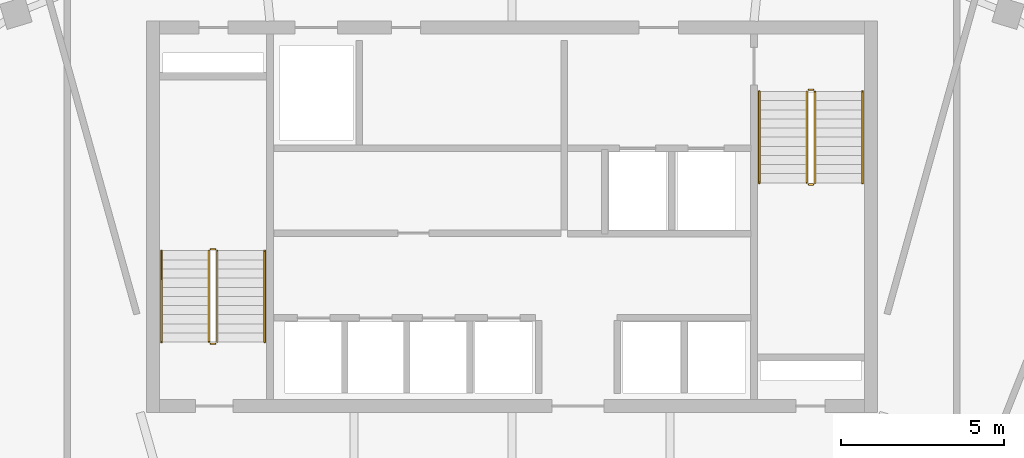
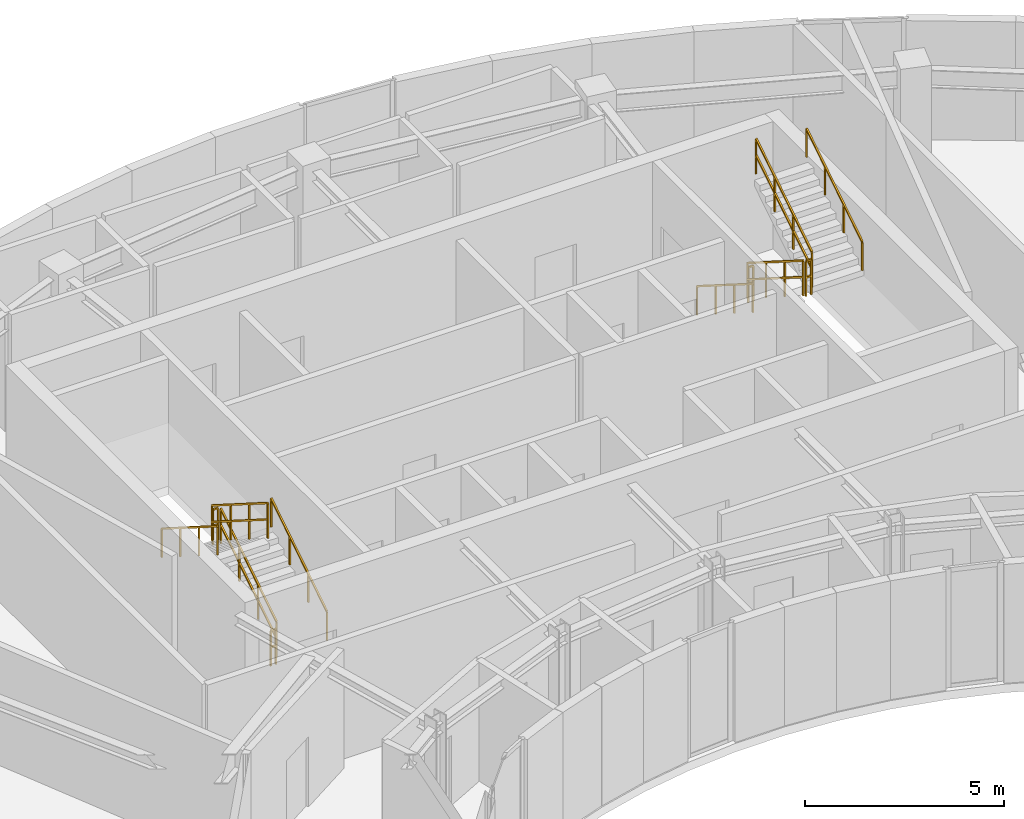
# One storey, part 9 of 9: 12 railings.
"""IFC4 building model written with IfcOpenShell, lengths in metres."""

from ifc_helpers import new_model, si_unit, direction, frame, origin, origin_2d, place, context, subcontext, project, spatial, rectangle, extrude, material, type_object, element, save


model = new_model("IFC4")

# Units and contexts
model_context = context("Model", 3, precision=1e-05, world=origin(), true_north=direction((0.0, 1.0)))
body_context = subcontext(model_context, "Body", "Model", "MODEL_VIEW")
ifc_project = project(units=[si_unit("LENGTHUNIT", "METRE"), si_unit("AREAUNIT", "SQUARE_METRE"), si_unit("VOLUMEUNIT", "CUBIC_METRE"), si_unit("PLANEANGLEUNIT", "RADIAN"), si_unit("MASSUNIT", "GRAM", prefix="KILO")], contexts=[model_context])

# Site, building, storey
site_placement = place(None, origin())
site = spatial("IfcSite", under=ifc_project, at=site_placement, CompositionType="ELEMENT")
building_placement = place(site_placement, origin())
building = spatial("IfcBuilding", under=site, at=building_placement, Name="Breltana Convention Tower", CompositionType="ELEMENT")
storey_placement = place(building_placement, frame((0.0, 0.0, 287.39990234375)))
storey = spatial("IfcBuildingStorey", under=building, at=storey_placement, Name="L70", CompositionType="ELEMENT", Elevation=287.39990234375)

# Railings
ifc_material_1 = material(Name="Steel S275 Painted", Category="steel")
railing_type_1 = type_object("IfcRailingType", Name="RL-STAIR-GUARD-1100", PredefinedType="GUARDRAIL", material=ifc_material_1)
railing_1_placement = place(storey_placement, frame((38.9599609375, 62.360107421875, 0.177490234375)))
element("IfcRailing", 1, at=railing_1_placement, inside=storey, type_object=railing_type_1, Name="L70 ST-1 stair guard 1", PredefinedType="GUARDRAIL", context=body_context, shape_type="SweptSolid", body=[
    extrude(rectangle(XDim=0.048095703125, YDim=0.048095703125, at=origin_2d()), frame((0.0, 0.0, 1.076171875), z_axis=(0.0, 0.844887892834, 0.53494340686), x_axis=(-1.0, 0.0, 0.0)), (0.0, 0.0, 1.0), 3.313720703125),
    extrude(rectangle(XDim=0.048095703125, YDim=0.048095703125, at=origin_2d()), frame((0.0, 0.0, 0.572021484375), z_axis=(0.0, 0.844887892834, 0.53494340686), x_axis=(-1.0, 0.0, 0.0)), (0.0, 0.0, 1.0), 3.313720703125),
    extrude(rectangle(XDim=0.0419921875, YDim=0.0419921875, at=origin_2d()), origin(), (0.0, 0.0, 1.0), 1.052001953125),
    extrude(rectangle(XDim=0.0419921875, YDim=0.0419921875, at=origin_2d()), frame((0.0, 0.933349609375, 0.5908203125)), (0.0, 0.0, 1.0), 1.052001953125),
    extrude(rectangle(XDim=0.0419921875, YDim=0.0419921875, at=origin_2d()), frame((0.0, 1.866455078125, 1.181884765625)), (0.0, 0.0, 1.0), 1.052001953125),
    extrude(rectangle(XDim=0.0419921875, YDim=0.0419921875, at=origin_2d()), frame((0.0, 2.7998046875, 1.772705078125)), (0.0, 0.0, 1.0), 1.052001953125),
])
railing_2_placement = place(storey_placement, frame((38.909912109375, 65.2099609375, 1.9501953125)))
element("IfcRailing", 2, at=railing_2_placement, inside=storey, type_object=railing_type_1, Name="L70 ST-1 stair guard 2", PredefinedType="GUARDRAIL", context=body_context, shape_type="SweptSolid", body=[
    extrude(rectangle(XDim=0.048095703125, YDim=0.048095703125, at=origin_2d()), frame((0.0, 0.0, 1.076171875), z_axis=(-1.0, 0.0, 0.0), x_axis=(0.0, -1.0, 0.0)), (0.0, 0.0, 1.0), 0.14990234375),
    extrude(rectangle(XDim=0.048095703125, YDim=0.048095703125, at=origin_2d()), frame((0.0, 0.0, 0.572021484375), z_axis=(-1.0, 0.0, 0.0), x_axis=(0.0, -1.0, 0.0)), (0.0, 0.0, 1.0), 0.14990234375),
    extrude(rectangle(XDim=0.0419921875, YDim=0.0419921875, at=origin_2d()), origin(), (0.0, 0.0, 1.0), 1.052001953125),
    extrude(rectangle(XDim=0.0419921875, YDim=0.0419921875, at=origin_2d()), frame((-0.14990234375, 0.0, 0.0)), (0.0, 0.0, 1.0), 1.052001953125),
])
railing_3_placement = place(storey_placement, frame((38.7099609375, 65.159912109375, 2.12744140625)))
element("IfcRailing", 3, at=railing_3_placement, inside=storey, type_object=railing_type_1, Name="L70 ST-1 stair guard 3", PredefinedType="GUARDRAIL", context=body_context, shape_type="SweptSolid", body=[
    extrude(rectangle(XDim=0.048095703125, YDim=0.048095703125, at=origin_2d()), frame((0.0, 0.0, 1.076171875), z_axis=(0.0, -0.844887892834, 0.53494340686), x_axis=(1.0, 0.0, 0.0)), (0.0, 0.0, 1.0), 3.313720703125),
    extrude(rectangle(XDim=0.048095703125, YDim=0.048095703125, at=origin_2d()), frame((0.0, 0.0, 0.572021484375), z_axis=(0.0, -0.844887892834, 0.53494340686), x_axis=(1.0, 0.0, 0.0)), (0.0, 0.0, 1.0), 3.313720703125),
    extrude(rectangle(XDim=0.0419921875, YDim=0.0419921875, at=origin_2d()), origin(), (0.0, 0.0, 1.0), 1.052001953125),
    extrude(rectangle(XDim=0.0419921875, YDim=0.0419921875, at=origin_2d()), frame((0.0, -0.933349609375, 0.5908203125)), (0.0, 0.0, 1.0), 1.052001953125),
    extrude(rectangle(XDim=0.0419921875, YDim=0.0419921875, at=origin_2d()), frame((0.0, -1.866455078125, 1.181884765625)), (0.0, 0.0, 1.0), 1.052001953125),
    extrude(rectangle(XDim=0.0419921875, YDim=0.0419921875, at=origin_2d()), frame((0.0, -2.7998046875, 1.772705078125)), (0.0, 0.0, 1.0), 1.052001953125),
])
railing_4_placement = place(storey_placement, frame((38.909912109375, 62.31005859375, 0.0)))
element("IfcRailing", 4, at=railing_4_placement, inside=storey, type_object=railing_type_1, Name="L70 ST-1 stair guard 4", PredefinedType="GUARDRAIL", context=body_context, shape_type="SweptSolid", body=[
    extrude(rectangle(XDim=0.048095703125, YDim=0.048095703125, at=origin_2d()), frame((0.0, 0.0, 1.076171875), z_axis=(-1.0, 0.0, 0.0), x_axis=(0.0, -1.0, 0.0)), (0.0, 0.0, 1.0), 0.14990234375),
    extrude(rectangle(XDim=0.048095703125, YDim=0.048095703125, at=origin_2d()), frame((0.0, 0.0, 0.572021484375), z_axis=(-1.0, 0.0, 0.0), x_axis=(0.0, -1.0, 0.0)), (0.0, 0.0, 1.0), 0.14990234375),
    extrude(rectangle(XDim=0.0419921875, YDim=0.0419921875, at=origin_2d()), origin(), (0.0, 0.0, 1.0), 1.052001953125),
    extrude(rectangle(XDim=0.0419921875, YDim=0.0419921875, at=origin_2d()), frame((-0.14990234375, 0.0, 0.0)), (0.0, 0.0, 1.0), 1.052001953125),
])
railing_5_placement = place(storey_placement, frame((57.0400390625, 70.0400390625, 0.177490234375)))
element("IfcRailing", 5, at=railing_5_placement, inside=storey, type_object=railing_type_1, Name="L70 ST-2 stair guard 1", PredefinedType="GUARDRAIL", context=body_context, shape_type="SweptSolid", body=[
    extrude(rectangle(XDim=0.048095703125, YDim=0.048095703125, at=origin_2d()), frame((0.0, 0.0, 1.076171875), z_axis=(0.0, -0.844908973607, 0.534910110503), x_axis=(1.0, 0.0, 0.0)), (0.0, 0.0, 1.0), 3.31396484375),
    extrude(rectangle(XDim=0.048095703125, YDim=0.048095703125, at=origin_2d()), frame((0.0, 0.0, 0.572021484375), z_axis=(0.0, -0.844908973607, 0.534910110503), x_axis=(1.0, 0.0, 0.0)), (0.0, 0.0, 1.0), 3.31396484375),
    extrude(rectangle(XDim=0.0419921875, YDim=0.0419921875, at=origin_2d()), origin(), (0.0, 0.0, 1.0), 1.052001953125),
    extrude(rectangle(XDim=0.0419921875, YDim=0.0419921875, at=origin_2d()), frame((0.0, -0.933349609375, 0.5908203125)), (0.0, 0.0, 1.0), 1.052001953125),
    extrude(rectangle(XDim=0.0419921875, YDim=0.0419921875, at=origin_2d()), frame((0.0, -1.86669921875, 1.181884765625)), (0.0, 0.0, 1.0), 1.052001953125),
    extrude(rectangle(XDim=0.0419921875, YDim=0.0419921875, at=origin_2d()), frame((0.0, -2.800048828125, 1.772705078125)), (0.0, 0.0, 1.0), 1.052001953125),
])
railing_6_placement = place(storey_placement, frame((57.090087890625, 67.18994140625, 1.9501953125)))
element("IfcRailing", 6, at=railing_6_placement, inside=storey, type_object=railing_type_1, Name="L70 ST-2 stair guard 2", PredefinedType="GUARDRAIL", context=body_context, shape_type="SweptSolid", body=[
    extrude(rectangle(XDim=0.048095703125, YDim=0.048095703125, at=origin_2d()), frame((0.0, 0.0, 1.076171875), z_axis=(1.0, 0.0, 0.0), x_axis=(0.0, 1.0, 0.0)), (0.0, 0.0, 1.0), 0.14990234375),
    extrude(rectangle(XDim=0.048095703125, YDim=0.048095703125, at=origin_2d()), frame((0.0, 0.0, 0.572021484375), z_axis=(1.0, 0.0, 0.0), x_axis=(0.0, 1.0, 0.0)), (0.0, 0.0, 1.0), 0.14990234375),
    extrude(rectangle(XDim=0.0419921875, YDim=0.0419921875, at=origin_2d()), origin(), (0.0, 0.0, 1.0), 1.052001953125),
    extrude(rectangle(XDim=0.0419921875, YDim=0.0419921875, at=origin_2d()), frame((0.14990234375, 0.0, 0.0)), (0.0, 0.0, 1.0), 1.052001953125),
])
railing_7_placement = place(storey_placement, frame((57.2900390625, 67.239990234375, 2.12744140625)))
element("IfcRailing", 7, at=railing_7_placement, inside=storey, type_object=railing_type_1, Name="L70 ST-2 stair guard 3", PredefinedType="GUARDRAIL", context=body_context, shape_type="SweptSolid", body=[
    extrude(rectangle(XDim=0.048095703125, YDim=0.048095703125, at=origin_2d()), frame((0.0, 0.0, 1.076171875), z_axis=(0.0, 0.844908973607, 0.534910110503), x_axis=(-1.0, 0.0, 0.0)), (0.0, 0.0, 1.0), 3.31396484375),
    extrude(rectangle(XDim=0.048095703125, YDim=0.048095703125, at=origin_2d()), frame((0.0, 0.0, 0.572021484375), z_axis=(0.0, 0.844908973607, 0.534910110503), x_axis=(-1.0, 0.0, 0.0)), (0.0, 0.0, 1.0), 3.31396484375),
    extrude(rectangle(XDim=0.0419921875, YDim=0.0419921875, at=origin_2d()), origin(), (0.0, 0.0, 1.0), 1.052001953125),
    extrude(rectangle(XDim=0.0419921875, YDim=0.0419921875, at=origin_2d()), frame((0.0, 0.933349609375, 0.5908203125)), (0.0, 0.0, 1.0), 1.052001953125),
    extrude(rectangle(XDim=0.0419921875, YDim=0.0419921875, at=origin_2d()), frame((0.0, 1.86669921875, 1.181884765625)), (0.0, 0.0, 1.0), 1.052001953125),
    extrude(rectangle(XDim=0.0419921875, YDim=0.0419921875, at=origin_2d()), frame((0.0, 2.800048828125, 1.772705078125)), (0.0, 0.0, 1.0), 1.052001953125),
])
railing_8_placement = place(storey_placement, frame((57.090087890625, 70.090087890625, 0.0)))
element("IfcRailing", 8, at=railing_8_placement, inside=storey, type_object=railing_type_1, Name="L70 ST-2 stair guard 4", PredefinedType="GUARDRAIL", context=body_context, shape_type="SweptSolid", body=[
    extrude(rectangle(XDim=0.048095703125, YDim=0.048095703125, at=origin_2d()), frame((0.0, 0.0, 1.076171875), z_axis=(1.0, 0.0, 0.0), x_axis=(0.0, 1.0, 0.0)), (0.0, 0.0, 1.0), 0.14990234375),
    extrude(rectangle(XDim=0.048095703125, YDim=0.048095703125, at=origin_2d()), frame((0.0, 0.0, 0.572021484375), z_axis=(1.0, 0.0, 0.0), x_axis=(0.0, 1.0, 0.0)), (0.0, 0.0, 1.0), 0.14990234375),
    extrude(rectangle(XDim=0.0419921875, YDim=0.0419921875, at=origin_2d()), origin(), (0.0, 0.0, 1.0), 1.052001953125),
    extrude(rectangle(XDim=0.0419921875, YDim=0.0419921875, at=origin_2d()), frame((0.14990234375, 0.0, 0.0)), (0.0, 0.0, 1.0), 1.052001953125),
])
ifc_material_2 = material(Name="Stainless Steel 316L", Category="steel")
railing_type_2 = type_object("IfcRailingType", Name="RL-STAIR-HANDRAIL-900", PredefinedType="HANDRAIL", material=ifc_material_2)
railing_9_placement = place(storey_placement, frame((40.419921875, 62.360107421875, 0.177490234375)))
element("IfcRailing", 9, at=railing_9_placement, inside=storey, type_object=railing_type_2, Name="L70 ST-1 stair handrail 1", PredefinedType="HANDRAIL", context=body_context, shape_type="SweptSolid", body=[
    extrude(rectangle(XDim=0.048095703125, YDim=0.048095703125, at=origin_2d()), frame((0.0, 0.0, 0.8759765625), z_axis=(0.0, 0.844887892834, 0.53494340686), x_axis=(-1.0, 0.0, 0.0)), (0.0, 0.0, 1.0), 3.313720703125),
    extrude(rectangle(XDim=0.0419921875, YDim=0.0419921875, at=origin_2d()), origin(), (0.0, 0.0, 1.0), 0.851806640625),
    extrude(rectangle(XDim=0.0419921875, YDim=0.0419921875, at=origin_2d()), frame((0.0, 0.933349609375, 0.5908203125)), (0.0, 0.0, 1.0), 0.851806640625),
    extrude(rectangle(XDim=0.0419921875, YDim=0.0419921875, at=origin_2d()), frame((0.0, 1.866455078125, 1.181884765625)), (0.0, 0.0, 1.0), 0.851806640625),
    extrude(rectangle(XDim=0.0419921875, YDim=0.0419921875, at=origin_2d()), frame((0.0, 2.7998046875, 1.772705078125)), (0.0, 0.0, 1.0), 0.851806640625),
])
railing_10_placement = place(storey_placement, frame((37.25, 65.159912109375, 2.12744140625)))
element("IfcRailing", 10, at=railing_10_placement, inside=storey, type_object=railing_type_2, Name="L70 ST-1 stair handrail 2", PredefinedType="HANDRAIL", context=body_context, shape_type="SweptSolid", body=[
    extrude(rectangle(XDim=0.048095703125, YDim=0.048095703125, at=origin_2d()), frame((0.0, 0.0, 0.8759765625), z_axis=(0.0, -0.844887892834, 0.53494340686), x_axis=(1.0, 0.0, 0.0)), (0.0, 0.0, 1.0), 3.313720703125),
    extrude(rectangle(XDim=0.0419921875, YDim=0.0419921875, at=origin_2d()), origin(), (0.0, 0.0, 1.0), 0.851806640625),
    extrude(rectangle(XDim=0.0419921875, YDim=0.0419921875, at=origin_2d()), frame((0.0, -0.933349609375, 0.5908203125)), (0.0, 0.0, 1.0), 0.851806640625),
    extrude(rectangle(XDim=0.0419921875, YDim=0.0419921875, at=origin_2d()), frame((0.0, -1.866455078125, 1.181884765625)), (0.0, 0.0, 1.0), 0.851806640625),
    extrude(rectangle(XDim=0.0419921875, YDim=0.0419921875, at=origin_2d()), frame((0.0, -2.7998046875, 1.772705078125)), (0.0, 0.0, 1.0), 0.851806640625),
])
railing_11_placement = place(storey_placement, frame((55.580078125, 70.0400390625, 0.177490234375)))
element("IfcRailing", 11, at=railing_11_placement, inside=storey, type_object=railing_type_2, Name="L70 ST-2 stair handrail 1", PredefinedType="HANDRAIL", context=body_context, shape_type="SweptSolid", body=[
    extrude(rectangle(XDim=0.048095703125, YDim=0.048095703125, at=origin_2d()), frame((0.0, 0.0, 0.8759765625), z_axis=(0.0, -0.844908973607, 0.534910110503), x_axis=(1.0, 0.0, 0.0)), (0.0, 0.0, 1.0), 3.31396484375),
    extrude(rectangle(XDim=0.0419921875, YDim=0.0419921875, at=origin_2d()), origin(), (0.0, 0.0, 1.0), 0.851806640625),
    extrude(rectangle(XDim=0.0419921875, YDim=0.0419921875, at=origin_2d()), frame((0.0, -0.933349609375, 0.5908203125)), (0.0, 0.0, 1.0), 0.851806640625),
    extrude(rectangle(XDim=0.0419921875, YDim=0.0419921875, at=origin_2d()), frame((0.0, -1.86669921875, 1.181884765625)), (0.0, 0.0, 1.0), 0.851806640625),
    extrude(rectangle(XDim=0.0419921875, YDim=0.0419921875, at=origin_2d()), frame((0.0, -2.800048828125, 1.772705078125)), (0.0, 0.0, 1.0), 0.851806640625),
])
railing_12_placement = place(storey_placement, frame((58.75, 67.239990234375, 2.12744140625)))
element("IfcRailing", 12, at=railing_12_placement, inside=storey, type_object=railing_type_2, Name="L70 ST-2 stair handrail 2", PredefinedType="HANDRAIL", context=body_context, shape_type="SweptSolid", body=[
    extrude(rectangle(XDim=0.048095703125, YDim=0.048095703125, at=origin_2d()), frame((0.0, 0.0, 0.8759765625), z_axis=(0.0, 0.844908973607, 0.534910110503), x_axis=(-1.0, 0.0, 0.0)), (0.0, 0.0, 1.0), 3.31396484375),
    extrude(rectangle(XDim=0.0419921875, YDim=0.0419921875, at=origin_2d()), origin(), (0.0, 0.0, 1.0), 0.851806640625),
    extrude(rectangle(XDim=0.0419921875, YDim=0.0419921875, at=origin_2d()), frame((0.0, 0.933349609375, 0.5908203125)), (0.0, 0.0, 1.0), 0.851806640625),
    extrude(rectangle(XDim=0.0419921875, YDim=0.0419921875, at=origin_2d()), frame((0.0, 1.86669921875, 1.181884765625)), (0.0, 0.0, 1.0), 0.851806640625),
    extrude(rectangle(XDim=0.0419921875, YDim=0.0419921875, at=origin_2d()), frame((0.0, 2.800048828125, 1.772705078125)), (0.0, 0.0, 1.0), 0.851806640625),
])

save(model, "model.ifc")
